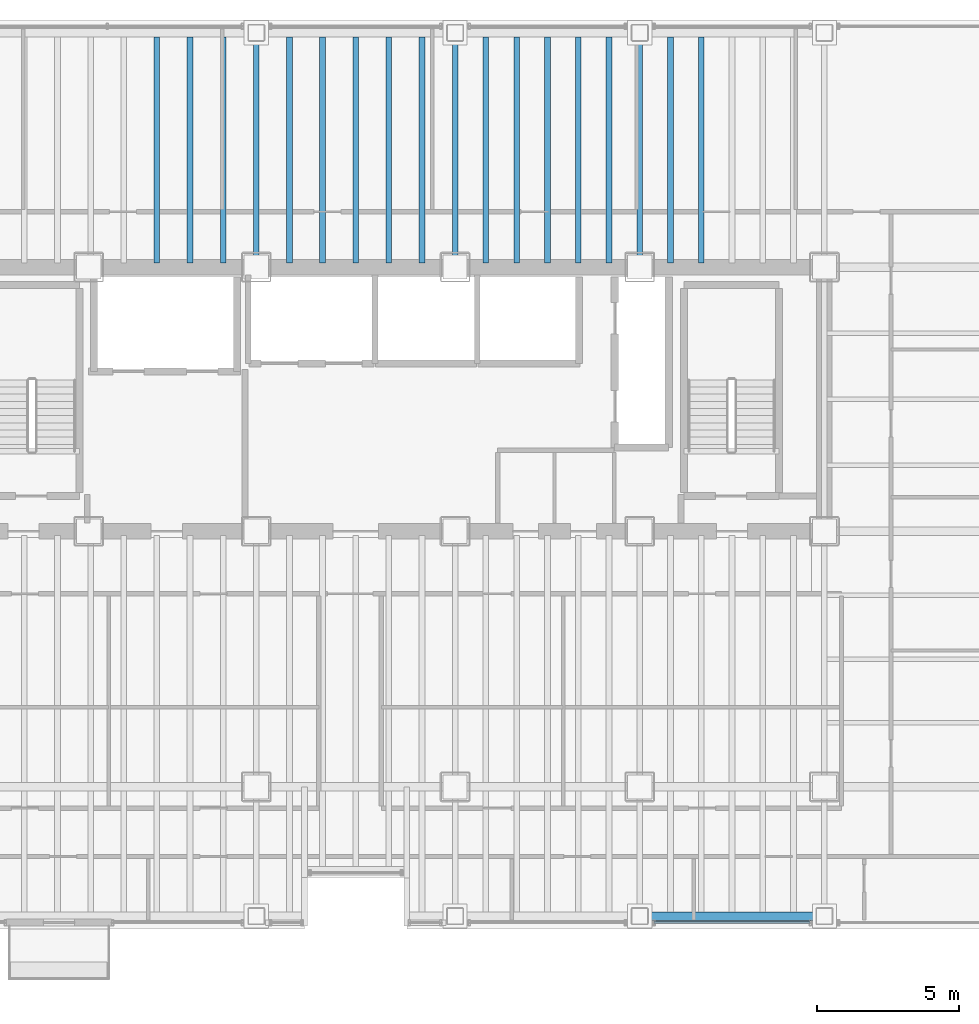
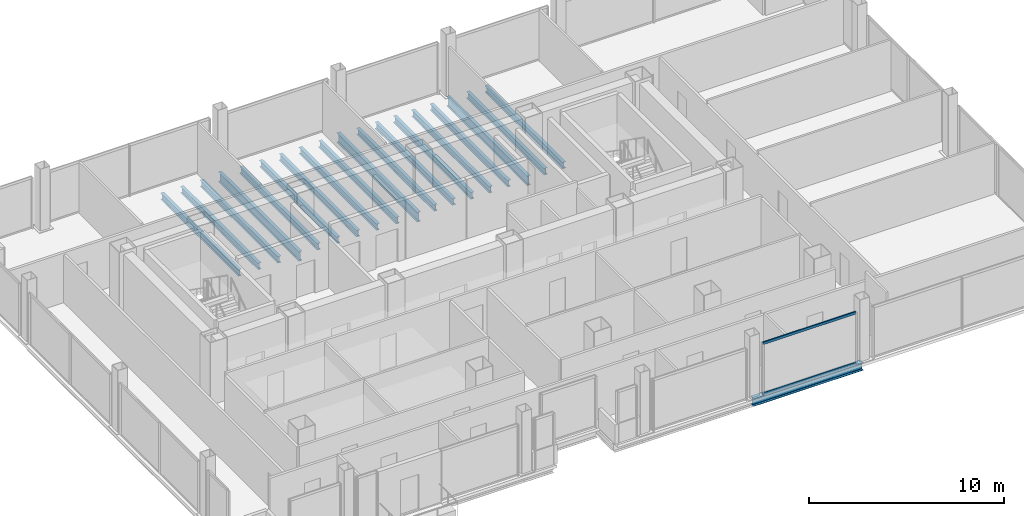
# One storey, part 7 of 20: 19 beams, 2 members, 1 element without a shape of its own.
"""IFC4 building model written with IfcOpenShell, lengths in metres."""

from ifc_helpers import new_model, si_unit, direction, frame, origin, origin_2d, place, context, subcontext, project, spatial, hollow_rectangle, i_section, extrude, material, material_profile, profile_set, type_object, element, aggregate, save


model = new_model("IFC4")

# Units and contexts
model_context = context("Model", 3, precision=1e-05, world=origin(), true_north=direction((0.0, 1.0)))
body_context = subcontext(model_context, "Body", "Model", "MODEL_VIEW")
ifc_project = project(units=[si_unit("LENGTHUNIT", "METRE"), si_unit("AREAUNIT", "SQUARE_METRE"), si_unit("VOLUMEUNIT", "CUBIC_METRE"), si_unit("PLANEANGLEUNIT", "RADIAN"), si_unit("MASSUNIT", "GRAM", prefix="KILO")], contexts=[model_context])

# Site, building, storey
site_placement = place(None, origin())
site = spatial("IfcSite", under=ifc_project, at=site_placement, CompositionType="ELEMENT")
building_placement = place(site_placement, origin())
building = spatial("IfcBuilding", under=site, at=building_placement, Name="Noeulbin Bourse Tower", CompositionType="ELEMENT")
storey_placement = place(building_placement, frame((0.0, 0.0, 65.5)))
storey = spatial("IfcBuildingStorey", under=building, at=storey_placement, Name="L16", CompositionType="ELEMENT", Elevation=65.5)

# Beams
ifc_material_1 = material(Name="Steel S355", Category="steel")
ifc_material_profile_1 = material_profile(ifc_material_1, i_section(OverallWidth=0.199951171875, OverallDepth=0.60009765625, WebThickness=0.010986328125, FlangeThickness=0.01708984375, FilletRadius=0.02197265625, at=origin_2d()), Name="H-600x200x11x17", Category="LoadBearing")
ifc_profile_set_1 = profile_set([ifc_material_profile_1], Name="Steel S355")
beam_type_1 = type_object("IfcBeamType", Name="BM-GRD-600", PredefinedType="USERDEFINED", material=ifc_profile_set_1)
for number, where, z_axis, x_axis, name in (
    (1, (24.0, 38.300048828125, -0.47998046875), (0.0, 1.0, 0.0), (-1.0, 0.0, 0.0), "Tower Primary Girder NS L16-2.4"),
    (2, (31.0, 38.300048828125, -0.47998046875), (0.0, 1.0, 0.0), (-1.0, 0.0, 0.0), "Tower Primary Girder NS L16-3.4"),
    (3, (37.5, 38.300048828125, -0.47998046875), (0.0, 1.0, 0.0), (-1.0, 0.0, 0.0), "Tower Primary Girder NS L16-4.4"),
):
    element("IfcBeam", number, at=place(storey_placement, frame(where, z_axis=z_axis, x_axis=x_axis)), inside=storey, type_object=beam_type_1, Name=name, ObjectType="GIRDER", PredefinedType="USERDEFINED", context=body_context, shape_type="SweptSolid", body=[
        extrude(i_section(OverallWidth=0.199951171875, OverallDepth=0.60009765625, WebThickness=0.010986328125, FlangeThickness=0.01708984375, FilletRadius=0.02197265625, at=origin_2d()), origin(), (0.0, 0.0, 1.0), 8.25),
    ])
ifc_material_profile_2 = material_profile(ifc_material_1, i_section(OverallWidth=0.199951171875, OverallDepth=0.39990234375, WebThickness=0.008056640625, FlangeThickness=0.012939453125, FilletRadius=0.01611328125, at=origin_2d()), Name="H-400x200x8x13", Category="LoadBearing")
ifc_profile_set_2 = profile_set([ifc_material_profile_2], Name="Steel S355")
beam_type_2 = type_object("IfcBeamType", Name="BM-SEC-400", PredefinedType="BEAM", material=ifc_profile_set_2)
for number, where, z_axis, x_axis, name in (
    (4, (20.5, 38.449951171875, -0.3798828125), (0.0, 1.0, 0.0), (-1.0, 0.0, 0.0), "Tower Composite Joist L16-18"),
    (5, (21.666748046875, 38.449951171875, -0.3798828125), (0.0, 1.0, 0.0), (-1.0, 0.0, 0.0), "Tower Composite Joist L16-21"),
    (6, (22.833251953125, 38.449951171875, -0.3798828125), (0.0, 1.0, 0.0), (-1.0, 0.0, 0.0), "Tower Composite Joist L16-24"),
    (7, (25.166748046875, 38.449951171875, -0.3798828125), (0.0, 1.0, 0.0), (-1.0, 0.0, 0.0), "Tower Composite Joist L16-27"),
    (8, (26.333251953125, 38.449951171875, -0.3798828125), (0.0, 1.0, 0.0), (-1.0, 0.0, 0.0), "Tower Composite Joist L16-30"),
    (9, (27.5, 38.449951171875, -0.3798828125), (0.0, 1.0, 0.0), (-1.0, 0.0, 0.0), "Tower Composite Joist L16-33"),
    (10, (28.666748046875, 38.449951171875, -0.3798828125), (0.0, 1.0, 0.0), (-1.0, 0.0, 0.0), "Tower Composite Joist L16-36"),
    (11, (29.833251953125, 38.449951171875, -0.3798828125), (0.0, 1.0, 0.0), (-1.0, 0.0, 0.0), "Tower Composite Joist L16-39"),
    (12, (32.083251953125, 38.449951171875, -0.3798828125), (0.0, 1.0, 0.0), (-1.0, 0.0, 0.0), "Tower Composite Joist L16-42"),
    (13, (33.166748046875, 38.449951171875, -0.3798828125), (0.0, 1.0, 0.0), (-1.0, 0.0, 0.0), "Tower Composite Joist L16-45"),
    (14, (34.25, 38.449951171875, -0.3798828125), (0.0, 1.0, 0.0), (-1.0, 0.0, 0.0), "Tower Composite Joist L16-48"),
    (15, (35.333251953125, 38.449951171875, -0.3798828125), (0.0, 1.0, 0.0), (-1.0, 0.0, 0.0), "Tower Composite Joist L16-51"),
    (16, (36.416748046875, 38.449951171875, -0.3798828125), (0.0, 1.0, 0.0), (-1.0, 0.0, 0.0), "Tower Composite Joist L16-54"),
    (17, (38.583251953125, 38.449951171875, -0.3798828125), (0.0, 1.0, 0.0), (-1.0, 0.0, 0.0), "Tower Composite Joist L16-57"),
    (18, (39.666748046875, 38.449951171875, -0.3798828125), (0.0, 1.0, 0.0), (-1.0, 0.0, 0.0), "Tower Composite Joist L16-60"),
):
    element("IfcBeam", number, at=place(storey_placement, frame(where, z_axis=z_axis, x_axis=x_axis)), inside=storey, type_object=beam_type_2, Name=name, PredefinedType="BEAM", context=body_context, shape_type="SweptSolid", body=[
        extrude(i_section(OverallWidth=0.199951171875, OverallDepth=0.39990234375, WebThickness=0.008056640625, FlangeThickness=0.012939453125, FilletRadius=0.01611328125, at=origin_2d()), origin(), (0.0, 0.0, 1.0), 7.949951171875),
    ])
ifc_material_profile_3 = material_profile(ifc_material_1, i_section(OverallWidth=0.300048828125, OverallDepth=0.488037109375, WebThickness=0.010986328125, FlangeThickness=0.01806640625, FilletRadius=0.02197265625, at=origin_2d()), Name="H-488x300x11x18", Category="LoadBearing")
ifc_profile_set_3 = profile_set([ifc_material_profile_3], Name="Steel S355")
beam_type_3 = type_object("IfcBeamType", Name="BM-SPN-488", PredefinedType="SPANDREL", material=ifc_profile_set_3)
beam_placement = place(storey_placement, frame((37.5, 15.449951171875, -0.424072265625), z_axis=(1.0, 0.0, 0.0), x_axis=(0.0, 1.0, 0.0)))
element("IfcBeam", 19, at=beam_placement, inside=storey, type_object=beam_type_3, Name="South Spandrel L16-4", PredefinedType="SPANDREL", context=body_context, shape_type="SweptSolid", body=[
    extrude(i_section(OverallWidth=0.300048828125, OverallDepth=0.488037109375, WebThickness=0.010986328125, FlangeThickness=0.01806640625, FilletRadius=0.02197265625, at=origin_2d()), origin(), (0.0, 0.0, 1.0), 6.5),
])

# Curtain wall, members
ifc_material_2 = material(Name="Dark Solar-Control Double Glazing", Category="glass")
curtain_wall_type = type_object("IfcCurtainWallType", Name="CW-SYS-2", PredefinedType="NOTDEFINED", material=ifc_material_2)
curtain_wall_placement = place(storey_placement, origin())
curtain_wall = element("IfcCurtainWall", 20, at=curtain_wall_placement, inside=storey, type_object=curtain_wall_type, Name="Unitised Curtain Wall CW-L16-S3-S3", PredefinedType="NOTDEFINED")
ifc_material_3 = material(Name="Anodised Aluminium 6063-T6", Category="aluminium")
ifc_material_profile_4 = material_profile(ifc_material_3, hollow_rectangle(XDim=0.074951171875, YDim=0.159912109375, WallThickness=0.0048828125, InnerFilletRadius=0.00244140625, OuterFilletRadius=0.0048828125, at=origin_2d()), Name="ALU-TRAN-75x160x5", Category="LoadBearing")
ifc_profile_set_4 = profile_set([ifc_material_profile_4], Name="Anodised Aluminium 6063-T6")
member_type = type_object("IfcMemberType", Name="CW-SYS-2-TRN", PredefinedType="USERDEFINED", material=ifc_profile_set_4)
member_1_placement = place(storey_placement, frame((38.010009765625, 15.219970703125, 0.010009765625), z_axis=(1.0, 0.0, 0.0), x_axis=(0.0, 1.0, 0.0)))
member_1 = element("IfcMember", 21, at=member_1_placement, type_object=member_type, Name="Curtain Wall Transom CW-L16-S3-S3-T00", ObjectType="TRANSOM", PredefinedType="USERDEFINED", context=body_context, shape_type="SweptSolid", body=[
    extrude(hollow_rectangle(XDim=0.074951171875, YDim=0.159912109375, WallThickness=0.0048828125, InnerFilletRadius=0.00244140625, OuterFilletRadius=0.0048828125, at=origin_2d()), origin(), (0.0, 0.0, 1.0), 5.47998046875),
])
member_2_placement = place(storey_placement, frame((38.010009765625, 15.219970703125, 3.169921875), z_axis=(1.0, 0.0, 0.0), x_axis=(0.0, 1.0, 0.0)))
member_2 = element("IfcMember", 22, at=member_2_placement, type_object=member_type, Name="Curtain Wall Transom CW-L16-S3-S3-T01", ObjectType="TRANSOM", PredefinedType="USERDEFINED", context=body_context, shape_type="SweptSolid", body=[
    extrude(hollow_rectangle(XDim=0.074951171875, YDim=0.159912109375, WallThickness=0.0048828125, InnerFilletRadius=0.00244140625, OuterFilletRadius=0.0048828125, at=origin_2d()), origin(), (0.0, 0.0, 1.0), 5.47998046875),
])
aggregate(curtain_wall, [member_1, member_2])

save(model, "model.ifc")
